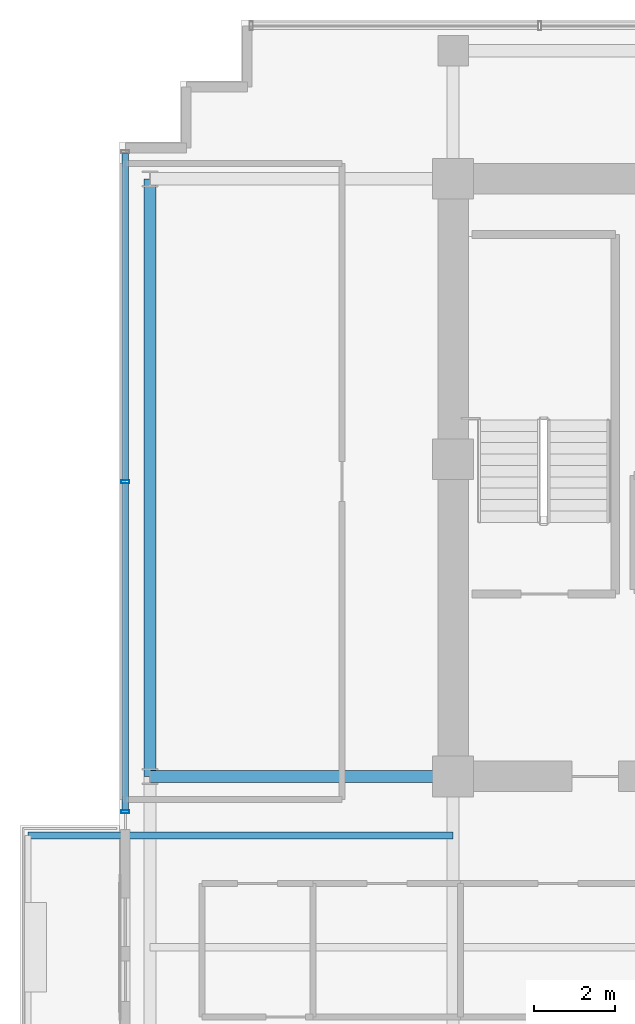
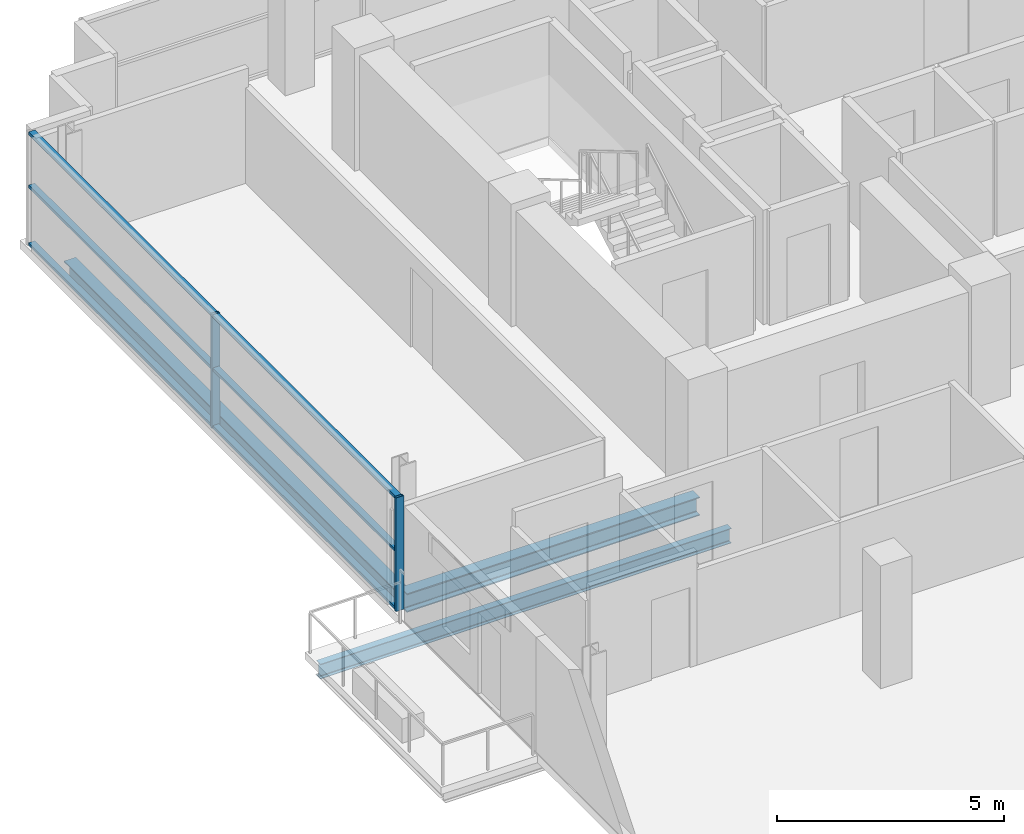
# One storey, part 5 of 21: 8 members, 3 beams, 1 element without a shape of its own.
"""IFC4 building model written with IfcOpenShell, lengths in metres."""

from ifc_helpers import new_model, si_unit, direction, frame, origin, origin_2d, place, context, subcontext, project, spatial, hollow_rectangle, i_section, extrude, source, transform, mapped, material, layer, layer_set, material_profile, profile_set, type_object, element, aggregate, save


model = new_model("IFC4")

# Units and contexts
model_context = context("Model", 3, precision=1e-05, world=origin(), true_north=direction((0.0, 1.0)))
body_context = subcontext(model_context, "Body", "Model", "MODEL_VIEW")
ifc_project = project(units=[si_unit("LENGTHUNIT", "METRE"), si_unit("AREAUNIT", "SQUARE_METRE"), si_unit("VOLUMEUNIT", "CUBIC_METRE"), si_unit("PLANEANGLEUNIT", "RADIAN"), si_unit("MASSUNIT", "GRAM", prefix="KILO")], contexts=[model_context])

# Site, building, storey
site_placement = place(None, origin())
site = spatial("IfcSite", under=ifc_project, at=site_placement, CompositionType="ELEMENT")
building_placement = place(site_placement, origin())
building = spatial("IfcBuilding", under=site, at=building_placement, Name="Zarnakvel Exchange Tower", CompositionType="ELEMENT")
storey_placement = place(building_placement, frame((0.0, 0.0, 185.800048828125)))
storey = spatial("IfcBuildingStorey", under=building, at=storey_placement, Name="L52", CompositionType="ELEMENT", Elevation=185.800048828125)

# Beams
ifc_material_1 = material(Name="Steel S355", Category="steel")
ifc_material_profile_1 = material_profile(ifc_material_1, i_section(OverallWidth=0.179931640625, OverallDepth=0.39990234375, WebThickness=0.008544921875, FlangeThickness=0.013427734375, FilletRadius=0.02099609375, at=origin_2d()))
ifc_profile_set_1 = profile_set([ifc_material_profile_1], Name="Steel S355")
beam_type_1 = type_object("IfcBeamType", Name="B-06", PredefinedType="JOIST", material=ifc_profile_set_1)
beam_1_placement = place(storey_placement, frame((-14.39990234375, -2.64990234375, -0.425048828125), z_axis=(-1.0, 0.0, 0.0), x_axis=(0.0, -1.0, 0.0)))
element("IfcBeam", 1, at=beam_1_placement, inside=storey, type_object=beam_type_1, Name="L52 Continuous West Loggia Beam N", PredefinedType="JOIST", context=body_context, shape_type="SweptSolid", body=[
    extrude(i_section(OverallWidth=0.179931640625, OverallDepth=0.39990234375, WebThickness=0.008544921875, FlangeThickness=0.013427734375, FilletRadius=0.02099609375, at=origin_2d()), origin(), (0.0, 0.0, 1.0), 10.4501953125),
])
ifc_material_profile_2 = material_profile(ifc_material_1, i_section(OverallWidth=0.300048828125, OverallDepth=0.5, WebThickness=0.014404296875, FlangeThickness=0.028076171875, FilletRadius=0.027099609375, at=origin_2d()))
ifc_profile_set_2 = profile_set([ifc_material_profile_2], Name="Steel S355")
beam_type_2 = type_object("IfcBeamType", Name="G-06", PredefinedType="BEAM", material=ifc_profile_set_2)
beam_2_placement = place(storey_placement, frame((-21.85009765625, -1.199951171875, -0.47509765625), z_axis=(1.0, 0.0, 0.0), x_axis=(0.0, 1.0, 0.0)))
element("IfcBeam", 2, at=beam_2_placement, inside=storey, type_object=beam_type_2, Name="L52 Tower E-W Frame Beam", PredefinedType="BEAM", context=body_context, shape_type="SweptSolid", body=[
    extrude(i_section(OverallWidth=0.300048828125, OverallDepth=0.5, WebThickness=0.014404296875, FlangeThickness=0.028076171875, FilletRadius=0.027099609375, at=origin_2d()), origin(), (0.0, 0.0, 1.0), 7.4501953125),
])
ifc_material_profile_3 = material_profile(ifc_material_1, i_section(OverallWidth=0.300048828125, OverallDepth=0.5, WebThickness=0.014404296875, FlangeThickness=0.028076171875, FilletRadius=0.027099609375, at=origin_2d()))
ifc_profile_set_3 = profile_set([ifc_material_profile_3], Name="Steel S355")
beam_type_3 = type_object("IfcBeamType", Name="SP-02", PredefinedType="SPANDREL", material=ifc_profile_set_3)
beam_3_placement = place(storey_placement, frame((-21.85009765625, -1.199951171875, -0.47509765625), z_axis=(0.0, 1.0, 0.0), x_axis=(-1.0, 0.0, 0.0)))
element("IfcBeam", 3, at=beam_3_placement, inside=storey, type_object=beam_type_3, Name="L52 Tower N-S Frame Beam", PredefinedType="SPANDREL", context=body_context, shape_type="SweptSolid", body=[
    extrude(i_section(OverallWidth=0.300048828125, OverallDepth=0.5, WebThickness=0.014404296875, FlangeThickness=0.028076171875, FilletRadius=0.027099609375, at=origin_2d()), origin(), (0.0, 0.0, 1.0), 14.699951171875),
])

# Curtain wall, members
ifc_material_2 = material(Name="Architectural Bronze Anodised Aluminium", Category="aluminium")
ifc_layer = layer(ifc_material_2, 0.199951171875)
ifc_layer_set = layer_set([ifc_layer], Name="Architectural Bronze Anodised Aluminium")
curtain_wall_type = type_object("IfcCurtainWallType", Name="CW-04", PredefinedType="NOTDEFINED", material=ifc_layer_set)
curtain_wall_placement = place(storey_placement, origin())
curtain_wall = element("IfcCurtainWall", 4, at=curtain_wall_placement, inside=storey, type_object=curtain_wall_type, Name="L52 Curtain Wall CW-L52-WN (CW-04)", PredefinedType="NOTDEFINED")
ifc_material_profile_4 = material_profile(ifc_material_2, hollow_rectangle(XDim=0.199951171875, YDim=0.074951171875, WallThickness=0.0048828125, at=origin_2d()))
ifc_profile_set_4 = profile_set([ifc_material_profile_4], Name="Architectural Bronze Anodised Aluminium")
member_type_1 = type_object("IfcMemberType", Name="CWM-04", PredefinedType="MULLION", material=ifc_profile_set_4)
shared_shape_1 = source(origin(), body_context, "Body", "SweptSolid", [
    extrude(hollow_rectangle(XDim=0.199951171875, YDim=0.074951171875, WallThickness=0.0048828125, at=origin_2d()), origin(), (0.0, 0.0, 1.0), 3.054931640625),
])
member_1_placement = place(storey_placement, frame((-22.4599609375, -2.0625, 0.0), z_axis=(0.0, 0.0, 1.0), x_axis=(-1.0, 0.0, 0.0)))
member_1 = element("IfcMember", 5, at=member_1_placement, type_object=member_type_1, Name="CW-04 mullion 1", PredefinedType="MULLION", context=body_context, shape_type="MappedRepresentation", body=[
    mapped(shared_shape_1, transform((0.0, 0.0, 0.0), x_axis=(1.0, 0.0, 0.0), y_axis=(0.0, 1.0, 0.0), z_axis=(0.0, 0.0, 1.0), scale=1.0)),
])
member_2_placement = place(storey_placement, frame((-22.4599609375, 6.050048828125, 0.0), z_axis=(0.0, 0.0, 1.0), x_axis=(-1.0, 0.0, 0.0)))
member_2 = element("IfcMember", 6, at=member_2_placement, type_object=member_type_1, Name="CW-04 mullion 2", PredefinedType="MULLION", context=body_context, shape_type="MappedRepresentation", body=[
    mapped(shared_shape_1, transform((0.0, 0.0, 0.0), x_axis=(1.0, 0.0, 0.0), y_axis=(0.0, 1.0, 0.0), z_axis=(0.0, 0.0, 1.0), scale=1.0)),
])
ifc_material_profile_5 = material_profile(ifc_material_2, hollow_rectangle(XDim=0.159912109375, YDim=0.074951171875, WallThickness=0.00390625, at=origin_2d()))
ifc_profile_set_5 = profile_set([ifc_material_profile_5], Name="Architectural Bronze Anodised Aluminium")
member_type_2 = type_object("IfcMemberType", Name="CWT-04", PredefinedType="USERDEFINED", material=ifc_profile_set_5)
shared_shape_2 = source(origin(), body_context, "Body", "SweptSolid", [
    extrude(hollow_rectangle(XDim=0.159912109375, YDim=0.074951171875, WallThickness=0.00390625, at=origin_2d()), origin(), (0.0, 0.0, 1.0), 8.037353515625),
])
member_3_placement = place(storey_placement, frame((-22.4599609375, -2.02490234375, 0.037353515625), z_axis=(0.0, 1.0, 0.0), x_axis=(-1.0, 0.0, 0.0)))
member_3 = element("IfcMember", 7, at=member_3_placement, type_object=member_type_2, Name="CW-04 transom 1.1", ObjectType="TRANSOM", PredefinedType="USERDEFINED", context=body_context, shape_type="MappedRepresentation", body=[
    mapped(shared_shape_2, transform((0.0, 0.0, 0.0), x_axis=(1.0, 0.0, 0.0), y_axis=(0.0, 1.0, 0.0), z_axis=(0.0, 0.0, 1.0), scale=1.0)),
])
member_4_placement = place(storey_placement, frame((-22.4599609375, -2.02490234375, 1.588623046875), z_axis=(0.0, 1.0, 0.0), x_axis=(-1.0, 0.0, 0.0)))
member_4 = element("IfcMember", 8, at=member_4_placement, type_object=member_type_2, Name="CW-04 transom 1.2", ObjectType="TRANSOM", PredefinedType="USERDEFINED", context=body_context, shape_type="MappedRepresentation", body=[
    mapped(shared_shape_2, transform((0.0, 0.0, 0.0), x_axis=(1.0, 0.0, 0.0), y_axis=(0.0, 1.0, 0.0), z_axis=(0.0, 0.0, 1.0), scale=1.0)),
])
member_5_placement = place(storey_placement, frame((-22.4599609375, -2.02490234375, 3.017333984375), z_axis=(0.0, 1.0, 0.0), x_axis=(-1.0, 0.0, 0.0)))
member_5 = element("IfcMember", 9, at=member_5_placement, type_object=member_type_2, Name="CW-04 transom 1.3", ObjectType="TRANSOM", PredefinedType="USERDEFINED", context=body_context, shape_type="MappedRepresentation", body=[
    mapped(shared_shape_2, transform((0.0, 0.0, 0.0), x_axis=(1.0, 0.0, 0.0), y_axis=(0.0, 1.0, 0.0), z_axis=(0.0, 0.0, 1.0), scale=1.0)),
])
shared_shape_3 = source(origin(), body_context, "Body", "SweptSolid", [
    extrude(hollow_rectangle(XDim=0.159912109375, YDim=0.074951171875, WallThickness=0.00390625, at=origin_2d()), origin(), (0.0, 0.0, 1.0), 8.03759765625),
])
member_6_placement = place(storey_placement, frame((-22.4599609375, 6.08740234375, 0.037353515625), z_axis=(0.0, 1.0, 0.0), x_axis=(-1.0, 0.0, 0.0)))
member_6 = element("IfcMember", 10, at=member_6_placement, type_object=member_type_2, Name="CW-04 transom 2.1", ObjectType="TRANSOM", PredefinedType="USERDEFINED", context=body_context, shape_type="MappedRepresentation", body=[
    mapped(shared_shape_3, transform((0.0, 0.0, 0.0), x_axis=(1.0, 0.0, 0.0), y_axis=(0.0, 1.0, 0.0), z_axis=(0.0, 0.0, 1.0), scale=1.0)),
])
member_7_placement = place(storey_placement, frame((-22.4599609375, 6.08740234375, 1.588623046875), z_axis=(0.0, 1.0, 0.0), x_axis=(-1.0, 0.0, 0.0)))
member_7 = element("IfcMember", 11, at=member_7_placement, type_object=member_type_2, Name="CW-04 transom 2.2", ObjectType="TRANSOM", PredefinedType="USERDEFINED", context=body_context, shape_type="MappedRepresentation", body=[
    mapped(shared_shape_3, transform((0.0, 0.0, 0.0), x_axis=(1.0, 0.0, 0.0), y_axis=(0.0, 1.0, 0.0), z_axis=(0.0, 0.0, 1.0), scale=1.0)),
])
member_8_placement = place(storey_placement, frame((-22.4599609375, 6.08740234375, 3.017333984375), z_axis=(0.0, 1.0, 0.0), x_axis=(-1.0, 0.0, 0.0)))
member_8 = element("IfcMember", 12, at=member_8_placement, type_object=member_type_2, Name="CW-04 transom 2.3", ObjectType="TRANSOM", PredefinedType="USERDEFINED", context=body_context, shape_type="MappedRepresentation", body=[
    mapped(shared_shape_3, transform((0.0, 0.0, 0.0), x_axis=(1.0, 0.0, 0.0), y_axis=(0.0, 1.0, 0.0), z_axis=(0.0, 0.0, 1.0), scale=1.0)),
])
aggregate(curtain_wall, [member_1, member_2, member_3, member_4, member_5, member_6, member_7, member_8])

save(model, "model.ifc")
